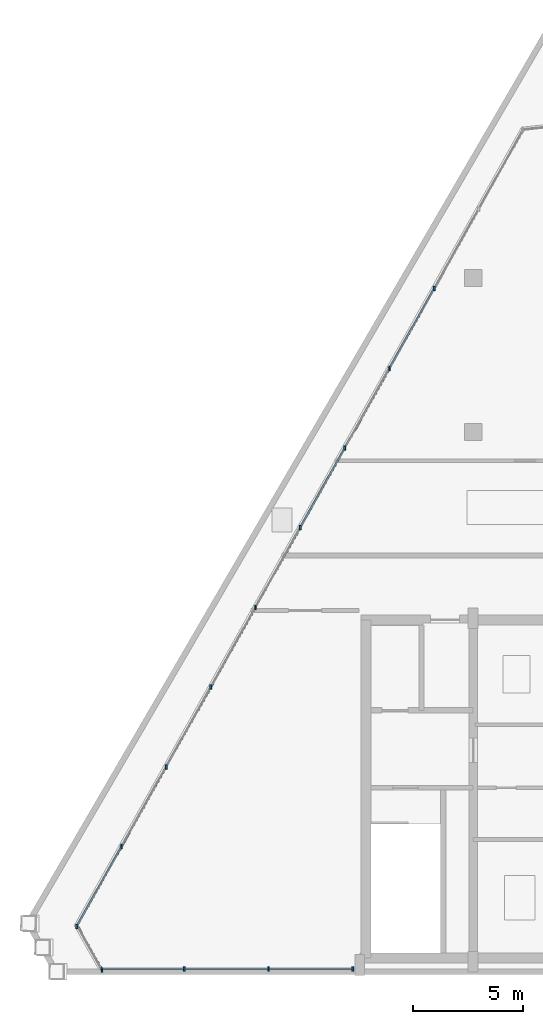
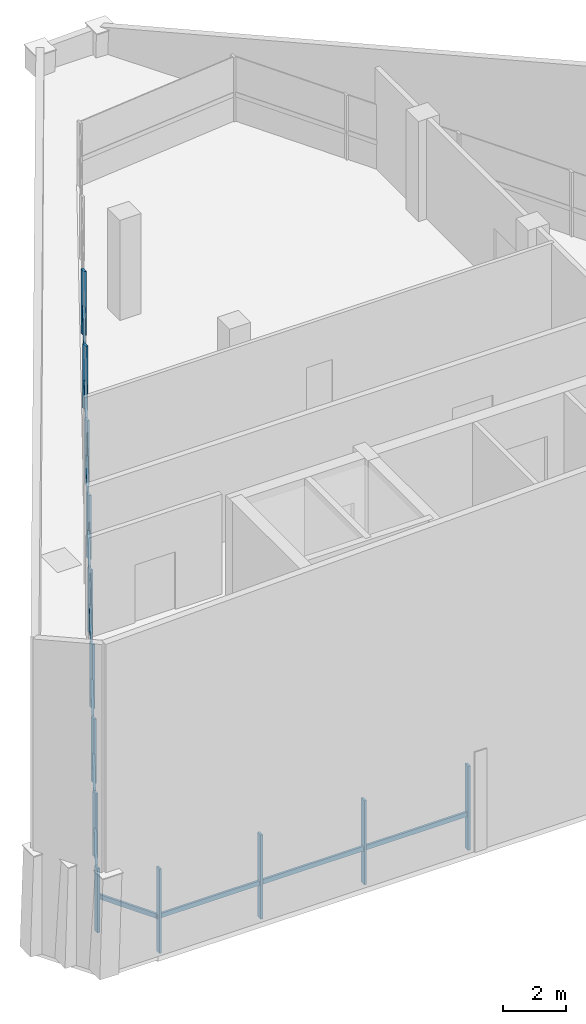
# One storey, part 2 of 8: 25 members, 3 elements without a shape of their own.
"""IFC4 building model written with IfcOpenShell, lengths in metres."""

from ifc_helpers import new_model, si_unit, direction, frame, origin, origin_2d, place, context, subcontext, project, spatial, rectangle, extrude, source, transform, mapped, material, material_profile, profile_set, type_object, element, aggregate, save


model = new_model("IFC4")

# Units and contexts
model_context = context("Model", 3, precision=1e-05, world=origin(), true_north=direction((0.0, 1.0)))
body_context = subcontext(model_context, "Body", "Model", "MODEL_VIEW")
ifc_project = project(units=[si_unit("LENGTHUNIT", "METRE"), si_unit("AREAUNIT", "SQUARE_METRE"), si_unit("VOLUMEUNIT", "CUBIC_METRE"), si_unit("PLANEANGLEUNIT", "RADIAN"), si_unit("MASSUNIT", "GRAM", prefix="KILO")], contexts=[model_context])

# Site, building, storey
site_placement = place(None, origin())
site = spatial("IfcSite", under=ifc_project, at=site_placement, CompositionType="ELEMENT")
building_placement = place(site_placement, origin())
building = spatial("IfcBuilding", under=site, at=building_placement, Name="Varnakhor Terracotta Tower", CompositionType="ELEMENT")
storey_placement = place(building_placement, frame((0.0, 0.0, 329.199951171875)))
storey = spatial("IfcBuildingStorey", under=building, at=storey_placement, Name="L86 Crown", CompositionType="ELEMENT", Elevation=329.199951171875)

# Curtain wall, members
ifc_material_1 = material(Name="Anodised Aluminium Curtain Wall System", Category="aluminium")
curtain_wall_type = type_object("IfcCurtainWallType", Name="CW-SYS-CROWN", PredefinedType="NOTDEFINED", material=ifc_material_1)
curtain_wall_1_placement = place(storey_placement, origin())
curtain_wall_1 = element("IfcCurtainWall", 1, at=curtain_wall_1_placement, inside=storey, type_object=curtain_wall_type, Name="L86 Crown South Wing Curtain Wall SSW", PredefinedType="NOTDEFINED")
ifc_material_2 = material(Name="Anodised Aluminium 6063-T6", Category="aluminium")
ifc_material_profile_1 = material_profile(ifc_material_2, rectangle(XDim=0.080078125, YDim=0.205078125, at=origin_2d()), Name="ALU MULLION 80x205")
ifc_profile_set_1 = profile_set([ifc_material_profile_1], Name="Anodised Aluminium 6063-T6")
member_type_1 = type_object("IfcMemberType", Name="CWM-06", PredefinedType="MULLION", material=ifc_profile_set_1)
shared_shape_1 = source(origin(), body_context, "Body", "SweptSolid", [
    extrude(rectangle(XDim=0.080078125, YDim=0.205078125, at=origin_2d()), origin(), (0.0, 0.0, 1.0), 3.280029296875),
])
member_1_placement = place(storey_placement, frame((-10.969970703125, 0.1201171875, 0.0), z_axis=(0.0, 0.0, 1.0), x_axis=(1.0, 0.0, 0.0)))
member_1 = element("IfcMember", 2, at=member_1_placement, type_object=member_type_1, Name="L86 Crown South Wing Curtain Wall SSW Mullion 1", PredefinedType="MULLION", context=body_context, shape_type="MappedRepresentation", body=[
    mapped(shared_shape_1, transform((0.0, 0.0, 0.0), scale=1.0)),
])
member_2_placement = place(storey_placement, frame((-14.79345703125, 0.1201171875, 0.0), z_axis=(0.0, 0.0, 1.0), x_axis=(1.0, 0.0, 0.0)))
member_2 = element("IfcMember", 3, at=member_2_placement, type_object=member_type_1, Name="L86 Crown South Wing Curtain Wall SSW Mullion 2", PredefinedType="MULLION", context=body_context, shape_type="MappedRepresentation", body=[
    mapped(shared_shape_1, transform((0.0, 0.0, 0.0), scale=1.0)),
])
member_3_placement = place(storey_placement, frame((-18.61669921875, 0.1201171875, 0.0), z_axis=(0.0, 0.0, 1.0), x_axis=(1.0, 0.0, 0.0)))
member_3 = element("IfcMember", 4, at=member_3_placement, type_object=member_type_1, Name="L86 Crown South Wing Curtain Wall SSW Mullion 3", PredefinedType="MULLION", context=body_context, shape_type="MappedRepresentation", body=[
    mapped(shared_shape_1, transform((0.0, 0.0, 0.0), scale=1.0)),
])

# Curtain wall, member
curtain_wall_2_placement = place(storey_placement, origin())
curtain_wall_2 = element("IfcCurtainWall", 5, at=curtain_wall_2_placement, inside=storey, type_object=curtain_wall_type, Name="L86 Crown Facet Curtain Wall 3", PredefinedType="NOTDEFINED")
member_4_placement = place(storey_placement, frame((-22.360107421875, 0.084716796875, 0.0), z_axis=(0.0, 0.0, 1.0), x_axis=(1.0, 0.0, 0.0)))
member_4 = element("IfcMember", 6, at=member_4_placement, type_object=member_type_1, Name="L86 Crown Facet Curtain Wall 3 Mullion 1", PredefinedType="MULLION", context=body_context, shape_type="MappedRepresentation", body=[
    mapped(shared_shape_1, transform((0.0, 0.0, 0.0), scale=1.0)),
])

# Member
ifc_material_profile_2 = material_profile(ifc_material_2, rectangle(XDim=0.080078125, YDim=0.179931640625, at=origin_2d()), Name="ALU TRANSOM 80x180")
ifc_profile_set_2 = profile_set([ifc_material_profile_2], Name="Anodised Aluminium 6063-T6")
member_type_2 = type_object("IfcMemberType", Name="CWT-06", PredefinedType="USERDEFINED", material=ifc_profile_set_2)
shared_shape_2 = source(origin(), body_context, "Body", "SweptSolid", [
    extrude(rectangle(XDim=0.080078125, YDim=0.179931640625, at=origin_2d()), origin(), (0.0, 0.0, 1.0), 3.823486328125),
])
member_5_placement = place(storey_placement, frame((-10.969970703125, 0.1201171875, 1.377685546875), z_axis=(-1.0, 0.0, 0.0), x_axis=(0.0, -1.0, 0.0)))
member_5 = element("IfcMember", 7, at=member_5_placement, type_object=member_type_2, Name="L86 Crown South Wing Curtain Wall SSW Transom 1", ObjectType="TRANSOM", PredefinedType="USERDEFINED", context=body_context, shape_type="MappedRepresentation", body=[
    mapped(shared_shape_2, transform((0.0, 0.0, 0.0), scale=1.0)),
])

member_6_placement = place(storey_placement, frame((-18.61669921875, 0.1201171875, 1.377685546875), z_axis=(-1.0, 0.0, 0.0), x_axis=(0.0, -1.0, 0.0)))
member_6 = element("IfcMember", 8, at=member_6_placement, type_object=member_type_2, Name="L86 Crown South Wing Curtain Wall SSW Transom 3", ObjectType="TRANSOM", PredefinedType="USERDEFINED", context=body_context, shape_type="MappedRepresentation", body=[
    mapped(shared_shape_2, transform((0.0, 0.0, 0.0), scale=1.0)),
])

shared_shape_3 = source(origin(), body_context, "Body", "SweptSolid", [
    extrude(rectangle(XDim=0.080078125, YDim=0.179931640625, at=origin_2d()), origin(), (0.0, 0.0, 1.0), 3.8232421875),
])
member_7_placement = place(storey_placement, frame((-14.79345703125, 0.1201171875, 1.377685546875), z_axis=(-1.0, 0.0, 0.0), x_axis=(0.0, -1.0, 0.0)))
member_7 = element("IfcMember", 9, at=member_7_placement, type_object=member_type_2, Name="L86 Crown South Wing Curtain Wall SSW Transom 2", ObjectType="TRANSOM", PredefinedType="USERDEFINED", context=body_context, shape_type="MappedRepresentation", body=[
    mapped(shared_shape_3, transform((0.0, 0.0, 0.0), scale=1.0)),
])

aggregate(curtain_wall_1, [member_1, member_5, member_2, member_7, member_3, member_6])

shared_shape_4 = source(origin(), body_context, "Body", "SweptSolid", [
    extrude(rectangle(XDim=0.080078125, YDim=0.179931640625, at=origin_2d()), origin(), (0.0, 0.0, 1.0), 2.33642578125),
])
member_8_placement = place(storey_placement, frame((-22.360107421875, 0.084716796875, 1.377685546875), z_axis=(-0.488806991371, 0.872391956168, 0.0), x_axis=(-0.872391956168, -0.488806991371, 0.0)))
member_8 = element("IfcMember", 10, at=member_8_placement, type_object=member_type_2, Name="L86 Crown Facet Curtain Wall 3 Transom 1", ObjectType="TRANSOM", PredefinedType="USERDEFINED", context=body_context, shape_type="MappedRepresentation", body=[
    mapped(shared_shape_4, transform((0.0, 0.0, 0.0), scale=1.0)),
])

aggregate(curtain_wall_2, [member_4, member_8])

# Curtain wall, members
curtain_wall_3_placement = place(storey_placement, origin())
curtain_wall_3 = element("IfcCurtainWall", 11, at=curtain_wall_3_placement, inside=storey, type_object=curtain_wall_type, Name="L86 Crown Facet Curtain Wall 4", PredefinedType="NOTDEFINED")
shared_shape_5 = source(origin(), body_context, "Body", "SweptSolid", [
    extrude(rectangle(XDim=0.080078125, YDim=0.205078125, at=origin_2d()), origin(), (0.0, 0.0, 1.0), 2.510009765625),
])
member_9_placement = place(storey_placement, frame((-23.502197265625, 2.05810546875, 0.0), z_axis=(0.0, 0.0, 1.0), x_axis=(1.0, 0.0, 0.0)))
member_9 = element("IfcMember", 12, at=member_9_placement, type_object=member_type_1, Name="L86 Crown Facet Curtain Wall 4 Mullion 1", PredefinedType="MULLION", context=body_context, shape_type="MappedRepresentation", body=[
    mapped(shared_shape_5, transform((0.0, 0.0, 0.0), scale=1.0)),
])
member_10_placement = place(storey_placement, frame((-21.473388671875, 5.67822265625, 0.0), z_axis=(0.0, 0.0, 1.0), x_axis=(1.0, 0.0, 0.0)))
member_10 = element("IfcMember", 13, at=member_10_placement, type_object=member_type_1, Name="L86 Crown Facet Curtain Wall 4 Mullion 2", PredefinedType="MULLION", context=body_context, shape_type="MappedRepresentation", body=[
    mapped(shared_shape_5, transform((0.0, 0.0, 0.0), scale=1.0)),
])
member_11_placement = place(storey_placement, frame((-19.44482421875, 9.298583984375, 0.0), z_axis=(0.0, 0.0, 1.0), x_axis=(1.0, 0.0, 0.0)))
member_11 = element("IfcMember", 14, at=member_11_placement, type_object=member_type_1, Name="L86 Crown Facet Curtain Wall 4 Mullion 3", PredefinedType="MULLION", context=body_context, shape_type="MappedRepresentation", body=[
    mapped(shared_shape_5, transform((0.0, 0.0, 0.0), scale=1.0)),
])
member_12_placement = place(storey_placement, frame((-17.416015625, 12.9189453125, 0.0), z_axis=(0.0, 0.0, 1.0), x_axis=(1.0, 0.0, 0.0)))
member_12 = element("IfcMember", 15, at=member_12_placement, type_object=member_type_1, Name="L86 Crown Facet Curtain Wall 4 Mullion 4", PredefinedType="MULLION", context=body_context, shape_type="MappedRepresentation", body=[
    mapped(shared_shape_5, transform((0.0, 0.0, 0.0), scale=1.0)),
])
member_13_placement = place(storey_placement, frame((-15.38720703125, 16.539306640625, 0.0), z_axis=(0.0, 0.0, 1.0), x_axis=(1.0, 0.0, 0.0)))
member_13 = element("IfcMember", 16, at=member_13_placement, type_object=member_type_1, Name="L86 Crown Facet Curtain Wall 4 Mullion 5", PredefinedType="MULLION", context=body_context, shape_type="MappedRepresentation", body=[
    mapped(shared_shape_5, transform((0.0, 0.0, 0.0), scale=1.0)),
])
member_14_placement = place(storey_placement, frame((-13.358642578125, 20.159423828125, 0.0), z_axis=(0.0, 0.0, 1.0), x_axis=(1.0, 0.0, 0.0)))
member_14 = element("IfcMember", 17, at=member_14_placement, type_object=member_type_1, Name="L86 Crown Facet Curtain Wall 4 Mullion 6", PredefinedType="MULLION", context=body_context, shape_type="MappedRepresentation", body=[
    mapped(shared_shape_5, transform((0.0, 0.0, 0.0), scale=1.0)),
])
member_15_placement = place(storey_placement, frame((-11.329833984375, 23.77978515625, 0.0), z_axis=(0.0, 0.0, 1.0), x_axis=(1.0, 0.0, 0.0)))
member_15 = element("IfcMember", 18, at=member_15_placement, type_object=member_type_1, Name="L86 Crown Facet Curtain Wall 4 Mullion 7", PredefinedType="MULLION", context=body_context, shape_type="MappedRepresentation", body=[
    mapped(shared_shape_5, transform((0.0, 0.0, 0.0), scale=1.0)),
])
member_16_placement = place(storey_placement, frame((-9.301025390625, 27.400146484375, 0.0), z_axis=(0.0, 0.0, 1.0), x_axis=(1.0, 0.0, 0.0)))
member_16 = element("IfcMember", 19, at=member_16_placement, type_object=member_type_1, Name="L86 Crown Facet Curtain Wall 4 Mullion 8", PredefinedType="MULLION", context=body_context, shape_type="MappedRepresentation", body=[
    mapped(shared_shape_5, transform((0.0, 0.0, 0.0), scale=1.0)),
])
member_17_placement = place(storey_placement, frame((-7.2724609375, 31.0205078125, 0.0), z_axis=(0.0, 0.0, 1.0), x_axis=(1.0, 0.0, 0.0)))
member_17 = element("IfcMember", 20, at=member_17_placement, type_object=member_type_1, Name="L86 Crown Facet Curtain Wall 4 Mullion 9", PredefinedType="MULLION", context=body_context, shape_type="MappedRepresentation", body=[
    mapped(shared_shape_5, transform((0.0, 0.0, 0.0), scale=1.0)),
])
shared_shape_6 = source(origin(), body_context, "Body", "SweptSolid", [
    extrude(rectangle(XDim=0.080078125, YDim=0.179931640625, at=origin_2d()), origin(), (0.0, 0.0, 1.0), 4.14990234375),
])
member_18_placement = place(storey_placement, frame((-23.502197265625, 2.05810546875, 1.05419921875), z_axis=(0.488886391725, 0.872347462876, 0.0), x_axis=(-0.872347462876, 0.488886391725, 0.0)))
member_18 = element("IfcMember", 21, at=member_18_placement, type_object=member_type_2, Name="L86 Crown Facet Curtain Wall 4 Transom 1", ObjectType="TRANSOM", PredefinedType="USERDEFINED", context=body_context, shape_type="MappedRepresentation", body=[
    mapped(shared_shape_6, transform((0.0, 0.0, 0.0), scale=1.0)),
])
member_19_placement = place(storey_placement, frame((-21.473388671875, 5.67822265625, 1.05419921875), z_axis=(0.488816531639, 0.872386610624, 0.0), x_axis=(-0.872386610624, 0.488816531639, 0.0)))
member_19 = element("IfcMember", 22, at=member_19_placement, type_object=member_type_2, Name="L86 Crown Facet Curtain Wall 4 Transom 2", ObjectType="TRANSOM", PredefinedType="USERDEFINED", context=body_context, shape_type="MappedRepresentation", body=[
    mapped(shared_shape_6, transform((0.0, 0.0, 0.0), scale=1.0)),
])
member_20_placement = place(storey_placement, frame((-9.301025390625, 27.400146484375, 1.05419921875), z_axis=(0.488816531639, 0.872386610624, 0.0), x_axis=(-0.872386610624, 0.488816531639, 0.0)))
member_20 = element("IfcMember", 23, at=member_20_placement, type_object=member_type_2, Name="L86 Crown Facet Curtain Wall 4 Transom 8", ObjectType="TRANSOM", PredefinedType="USERDEFINED", context=body_context, shape_type="MappedRepresentation", body=[
    mapped(shared_shape_6, transform((0.0, 0.0, 0.0), scale=1.0)),
])
shared_shape_7 = source(origin(), body_context, "Body", "SweptSolid", [
    extrude(rectangle(XDim=0.080078125, YDim=0.179931640625, at=origin_2d()), origin(), (0.0, 0.0, 1.0), 4.150146484375),
])
member_21_placement = place(storey_placement, frame((-19.44482421875, 9.298583984375, 1.05419921875), z_axis=(0.488861302596, 0.872361523008, 0.0), x_axis=(-0.872361523008, 0.488861302596, 0.0)))
member_21 = element("IfcMember", 24, at=member_21_placement, type_object=member_type_2, Name="L86 Crown Facet Curtain Wall 4 Transom 3", ObjectType="TRANSOM", PredefinedType="USERDEFINED", context=body_context, shape_type="MappedRepresentation", body=[
    mapped(shared_shape_7, transform((0.0, 0.0, 0.0), scale=1.0)),
])
member_22_placement = place(storey_placement, frame((-17.416015625, 12.9189453125, 1.05419921875), z_axis=(0.488861302596, 0.872361523008, 0.0), x_axis=(-0.872361523008, 0.488861302596, 0.0)))
member_22 = element("IfcMember", 25, at=member_22_placement, type_object=member_type_2, Name="L86 Crown Facet Curtain Wall 4 Transom 4", ObjectType="TRANSOM", PredefinedType="USERDEFINED", context=body_context, shape_type="MappedRepresentation", body=[
    mapped(shared_shape_7, transform((0.0, 0.0, 0.0), scale=1.0)),
])
member_23_placement = place(storey_placement, frame((-13.358642578125, 20.159423828125, 1.05419921875), z_axis=(0.488861302596, 0.872361523008, 0.0), x_axis=(-0.872361523008, 0.488861302596, 0.0)))
member_23 = element("IfcMember", 26, at=member_23_placement, type_object=member_type_2, Name="L86 Crown Facet Curtain Wall 4 Transom 6", ObjectType="TRANSOM", PredefinedType="USERDEFINED", context=body_context, shape_type="MappedRepresentation", body=[
    mapped(shared_shape_7, transform((0.0, 0.0, 0.0), scale=1.0)),
])
member_24_placement = place(storey_placement, frame((-11.329833984375, 23.77978515625, 1.05419921875), z_axis=(0.488861302596, 0.872361523008, 0.0), x_axis=(-0.872361523008, 0.488861302596, 0.0)))
member_24 = element("IfcMember", 27, at=member_24_placement, type_object=member_type_2, Name="L86 Crown Facet Curtain Wall 4 Transom 7", ObjectType="TRANSOM", PredefinedType="USERDEFINED", context=body_context, shape_type="MappedRepresentation", body=[
    mapped(shared_shape_7, transform((0.0, 0.0, 0.0), scale=1.0)),
])
shared_shape_8 = source(origin(), body_context, "Body", "SweptSolid", [
    extrude(rectangle(XDim=0.080078125, YDim=0.179931640625, at=origin_2d()), origin(), (0.0, 0.0, 1.0), 4.149658203125),
])
member_25_placement = place(storey_placement, frame((-15.38720703125, 16.539306640625, 1.05419921875), z_axis=(0.488841619914, 0.872372552663, 0.0), x_axis=(-0.872372552663, 0.488841619914, 0.0)))
member_25 = element("IfcMember", 28, at=member_25_placement, type_object=member_type_2, Name="L86 Crown Facet Curtain Wall 4 Transom 5", ObjectType="TRANSOM", PredefinedType="USERDEFINED", context=body_context, shape_type="MappedRepresentation", body=[
    mapped(shared_shape_8, transform((0.0, 0.0, 0.0), scale=1.0)),
])
aggregate(curtain_wall_3, [member_9, member_18, member_10, member_19, member_11, member_21, member_12, member_22, member_13, member_25, member_14, member_23, member_15, member_24, member_16, member_20, member_17])

save(model, "model.ifc")
